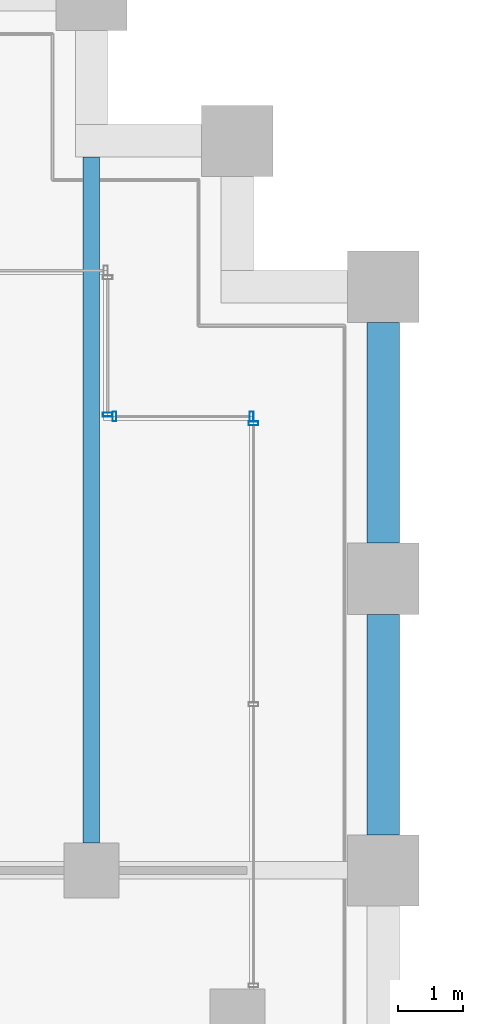
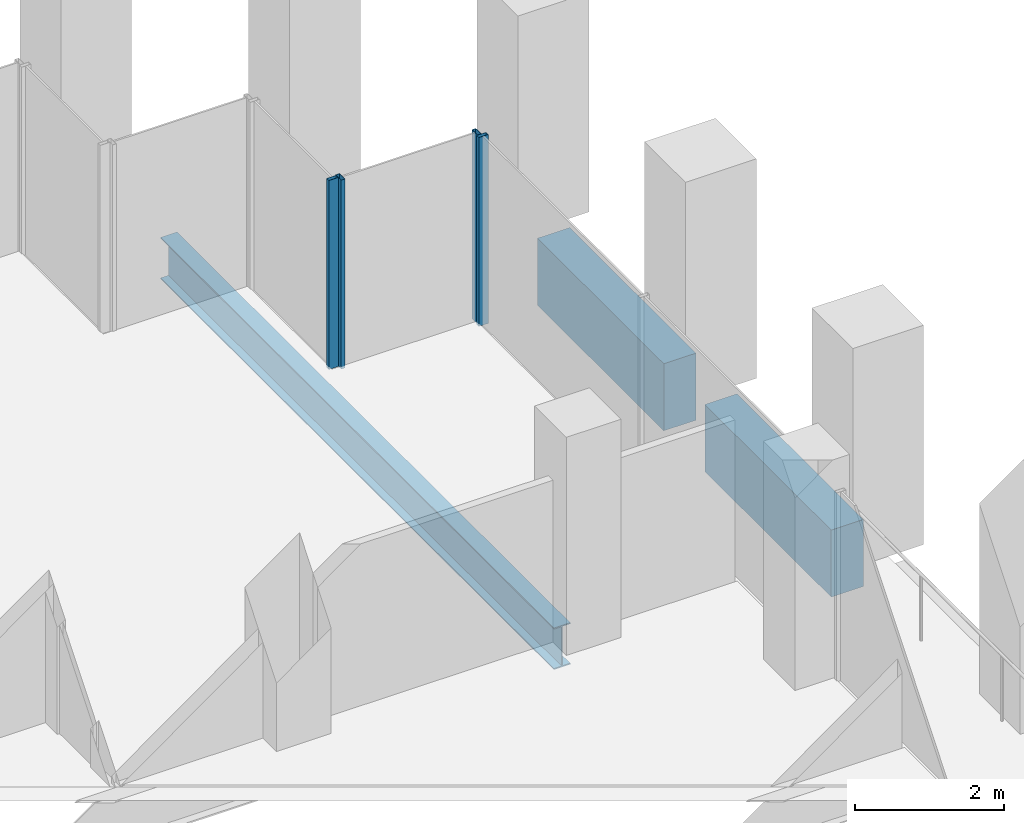
# One storey, part 31 of 56: 4 members, 3 beams, 3 elements without a shape of their own.
"""IFC4 building model written with IfcOpenShell, lengths in metres."""

from ifc_helpers import new_model, si_unit, direction, frame, origin, origin_2d, place, context, subcontext, project, spatial, rectangle, hollow_rectangle, i_section, extrude, material, material_profile, profile_set, type_object, element, aggregate, save


model = new_model("IFC4")

# Units and contexts
model_context = context("Model", 3, precision=1e-05, world=origin(), true_north=direction((0.0, 1.0)))
body_context = subcontext(model_context, "Body", "Model", "MODEL_VIEW")
ifc_project = project(units=[si_unit("LENGTHUNIT", "METRE"), si_unit("AREAUNIT", "SQUARE_METRE"), si_unit("VOLUMEUNIT", "CUBIC_METRE"), si_unit("PLANEANGLEUNIT", "RADIAN"), si_unit("MASSUNIT", "GRAM", prefix="KILO")], contexts=[model_context])

# Site, building, storey
site_placement = place(None, origin())
site = spatial("IfcSite", under=ifc_project, at=site_placement, CompositionType="ELEMENT")
building_placement = place(site_placement, origin())
building = spatial("IfcBuilding", under=site, at=building_placement, Name="Altepetl Exchange Towers", CompositionType="ELEMENT")
storey_placement = place(building_placement, frame((0.0, 0.0, 76.199951171875)))
storey = spatial("IfcBuildingStorey", under=building, at=storey_placement, Name="L18", CompositionType="ELEMENT", Elevation=76.199951171875)

# Beam
ifc_material_1 = material(Name="Steel S355", Category="steel")
ifc_material_profile_1 = material_profile(ifc_material_1, i_section(OverallWidth=0.25390625, OverallDepth=0.68408203125, WebThickness=0.012451171875, FlangeThickness=0.018798828125, at=origin_2d()), Name="W27X94")
ifc_profile_set_1 = profile_set([ifc_material_profile_1], Name="Steel S355")
beam_type_1 = type_object("IfcBeamType", Name="Floor beam W27X94", PredefinedType="BEAM", material=ifc_profile_set_1)
beam_placement = place(storey_placement, frame((67.5, 58.925048828125, -0.491943359375), z_axis=(0.0, 1.0, 0.0), x_axis=(-1.0, 0.0, 0.0)))
element("IfcBeam", 1, at=beam_placement, inside=storey, type_object=beam_type_1, Name="bm:A:L18:005", PredefinedType="BEAM", context=body_context, shape_type="SweptSolid", body=[
    extrude(i_section(OverallWidth=0.25390625, OverallDepth=0.68408203125, WebThickness=0.012451171875, FlangeThickness=0.018798828125, at=origin_2d()), origin(), (0.0, 0.0, 1.0), 10.574951171875),
])

# Curtain wall, member
ifc_material_2 = material(Name="Aluminium 6063-T6 glazing", Category="aluminium")
curtain_wall_type = type_object("IfcCurtainWallType", Name="Loggia glazing system", PredefinedType="NOTDEFINED", material=ifc_material_2)
curtain_wall_1_placement = place(storey_placement, origin())
curtain_wall_1 = element("IfcCurtainWall", 2, at=curtain_wall_1_placement, inside=storey, type_object=curtain_wall_type, Name="CW1 run", PredefinedType="NOTDEFINED")
ifc_material_3 = material(Name="Aluminium 6063-T6", Category="aluminium")
ifc_material_profile_2 = material_profile(ifc_material_3, hollow_rectangle(XDim=0.06005859375, YDim=0.14990234375, WallThickness=0.0029296875, at=origin_2d()), Name="Mullion 60x150 aluminium")
ifc_profile_set_2 = profile_set([ifc_material_profile_2], Name="Aluminium 6063-T6")
member_type = type_object("IfcMemberType", Name="Mullion 60x150 aluminium", PredefinedType="MULLION", material=ifc_profile_set_2)
member_1_placement = place(storey_placement, frame((70.0, 65.39501953125, 0.0), z_axis=(0.0, 0.0, 1.0), x_axis=(0.0, 1.0, 0.0)))
member_1 = element("IfcMember", 3, at=member_1_placement, type_object=member_type, Name="MU1 mullion", PredefinedType="MULLION", context=body_context, shape_type="SweptSolid", body=[
    extrude(hollow_rectangle(XDim=0.06005859375, YDim=0.14990234375, WallThickness=0.0029296875, at=origin_2d()), origin(), (0.0, 0.0, 1.0), 3.10009765625),
])
aggregate(curtain_wall_1, [member_1])

# Curtain wall, members
curtain_wall_2_placement = place(storey_placement, origin())
curtain_wall_2 = element("IfcCurtainWall", 4, at=curtain_wall_2_placement, inside=storey, type_object=curtain_wall_type, Name="CW1 run", PredefinedType="NOTDEFINED")
member_2_placement = place(storey_placement, frame((69.969970703125, 65.5, 0.0), z_axis=(0.0, 0.0, 1.0), x_axis=(-1.0, 0.0, 0.0)))
member_2 = element("IfcMember", 5, at=member_2_placement, type_object=member_type, Name="MU1 mullion", PredefinedType="MULLION", context=body_context, shape_type="SweptSolid", body=[
    extrude(hollow_rectangle(XDim=0.06005859375, YDim=0.14990234375, WallThickness=0.0029296875, at=origin_2d()), origin(), (0.0, 0.0, 1.0), 3.10009765625),
])
member_3_placement = place(storey_placement, frame((67.85498046875, 65.5, 0.0), z_axis=(0.0, 0.0, 1.0), x_axis=(-1.0, 0.0, 0.0)))
member_3 = element("IfcMember", 6, at=member_3_placement, type_object=member_type, Name="MU1 mullion", PredefinedType="MULLION", context=body_context, shape_type="SweptSolid", body=[
    extrude(hollow_rectangle(XDim=0.06005859375, YDim=0.14990234375, WallThickness=0.0029296875, at=origin_2d()), origin(), (0.0, 0.0, 1.0), 3.10009765625),
])
aggregate(curtain_wall_2, [member_2, member_3])

# Curtain wall, member
curtain_wall_3_placement = place(storey_placement, origin())
curtain_wall_3 = element("IfcCurtainWall", 7, at=curtain_wall_3_placement, inside=storey, type_object=curtain_wall_type, Name="CW1 run", PredefinedType="NOTDEFINED")
member_4_placement = place(storey_placement, frame((67.75, 65.530029296875, 0.0), z_axis=(0.0, 0.0, 1.0), x_axis=(0.0, 1.0, 0.0)))
member_4 = element("IfcMember", 8, at=member_4_placement, type_object=member_type, Name="MU1 mullion", PredefinedType="MULLION", context=body_context, shape_type="SweptSolid", body=[
    extrude(hollow_rectangle(XDim=0.06005859375, YDim=0.14990234375, WallThickness=0.0029296875, at=origin_2d()), origin(), (0.0, 0.0, 1.0), 3.10009765625),
])
aggregate(curtain_wall_3, [member_4])

# Beams
ifc_material_4 = material(Name="Concrete C50/60 precast with cantera rosa facing", Category="concrete")
ifc_material_profile_3 = material_profile(ifc_material_4, rectangle(XDim=0.5, YDim=1.10009765625, at=origin_2d()), Name="500 x 1100")
ifc_profile_set_3 = profile_set([ifc_material_profile_3], Name="Concrete C50/60 precast with cantera rosa facing")
beam_type_2 = type_object("IfcBeamType", Name="Spandrel beam 500x1100 cantera rosa", PredefinedType="SPANDREL", material=ifc_profile_set_3)
for number, where, z_axis, x_axis, name in (
    (9, (72.0, 59.050048828125, -0.699951171875), (0.0, 1.0, 0.0), (-1.0, 0.0, 0.0), "sp:A:L18:018"),
    (10, (72.0, 63.550048828125, -0.699951171875), (0.0, 1.0, 0.0), (-1.0, 0.0, 0.0), "sp:A:L18:019"),
):
    element("IfcBeam", number, at=place(storey_placement, frame(where, z_axis=z_axis, x_axis=x_axis)), inside=storey, type_object=beam_type_2, Name=name, PredefinedType="SPANDREL", context=body_context, shape_type="SweptSolid", body=[
        extrude(rectangle(XDim=0.5, YDim=1.10009765625, at=origin_2d()), origin(), (0.0, 0.0, 1.0), 3.39990234375),
    ])

save(model, "model.ifc")
